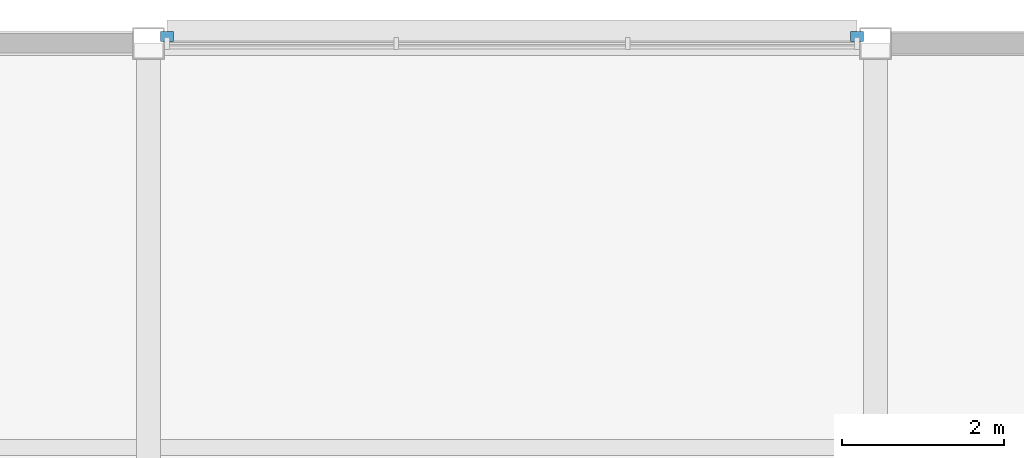
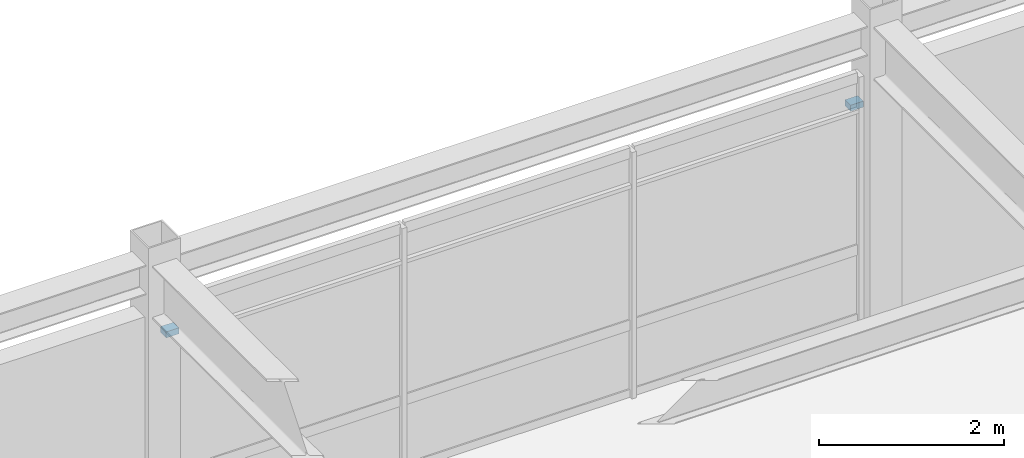
# One storey, part 89 of 108: 2 discrete accessories.
"""IFC4 building model written with IfcOpenShell, lengths in metres."""

from ifc_helpers import new_model, si_unit, direction, frame, origin, origin_2d, place, context, subcontext, project, spatial, rectangle, extrude, material, type_object, element, save


model = new_model("IFC4")

# Units and contexts
model_context = context("Model", 3, precision=1e-05, world=origin(), true_north=direction((0.0, 1.0)))
body_context = subcontext(model_context, "Body", "Model", "MODEL_VIEW")
ifc_project = project(units=[si_unit("LENGTHUNIT", "METRE"), si_unit("AREAUNIT", "SQUARE_METRE"), si_unit("VOLUMEUNIT", "CUBIC_METRE"), si_unit("PLANEANGLEUNIT", "RADIAN"), si_unit("MASSUNIT", "GRAM", prefix="KILO")], contexts=[model_context])

# Site, building, storey
site_placement = place(None, origin())
site = spatial("IfcSite", under=ifc_project, at=site_placement, CompositionType="ELEMENT")
building_placement = place(site_placement, origin())
building = spatial("IfcBuilding", under=site, at=building_placement, Name="Suzunagisa Mobility Hub", CompositionType="ELEMENT")
storey_placement = place(building_placement, frame((0.0, 0.0, 9.300048828125)))
storey = spatial("IfcBuildingStorey", under=building, at=storey_placement, Name="L02", CompositionType="ELEMENT", Elevation=9.300048828125)

# Discrete accessories
ifc_material = material(Name="Stainless Steel SUS316", Category="metal")
discrete_accessory_type = type_object("IfcDiscreteAccessoryType", Name="Stainless Sunshade Outrigger Bracket BRK-01", PredefinedType="BRACKET", material=ifc_material)
for number, where, z_axis, x_axis, name in (
    (1, (80.77001953125, 118.0849609375, 2.760009765625), (0.0, 0.0, 1.0), (-1.0, 0.0, 0.0), "Sunshade Outrigger Bracket BRK-23.1"),
    (2, (72.22998046875, 118.0849609375, 2.760009765625), (0.0, 0.0, 1.0), (-1.0, 0.0, 0.0), "Sunshade Outrigger Bracket BRK-23.2"),
):
    element("IfcDiscreteAccessory", number, at=place(storey_placement, frame(where, z_axis=z_axis, x_axis=x_axis)), inside=storey, type_object=discrete_accessory_type, Name=name, PredefinedType="BRACKET", context=body_context, shape_type="SweptSolid", body=[
        extrude(rectangle(XDim=0.159912109375, YDim=0.1201171875, at=origin_2d()), origin(), (0.0, 0.0, 1.0), 0.080078125),
    ])

save(model, "model.ifc")
